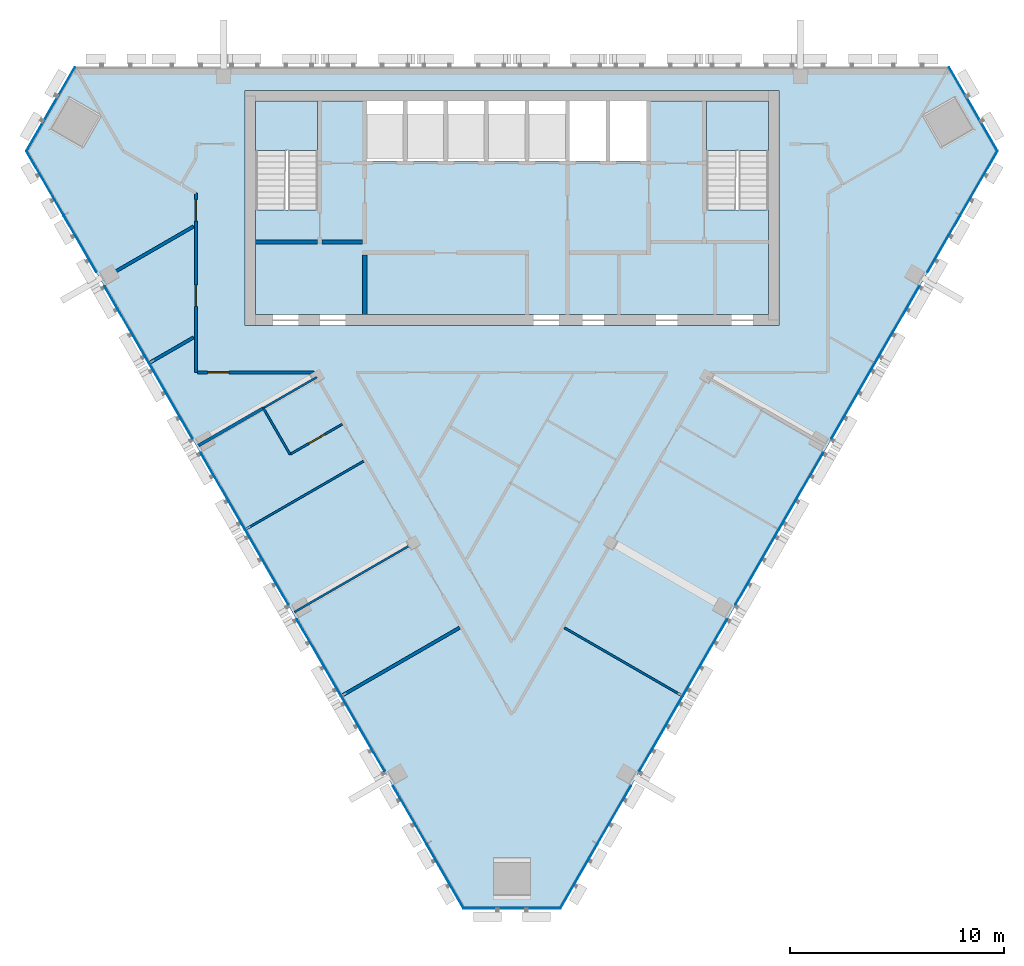
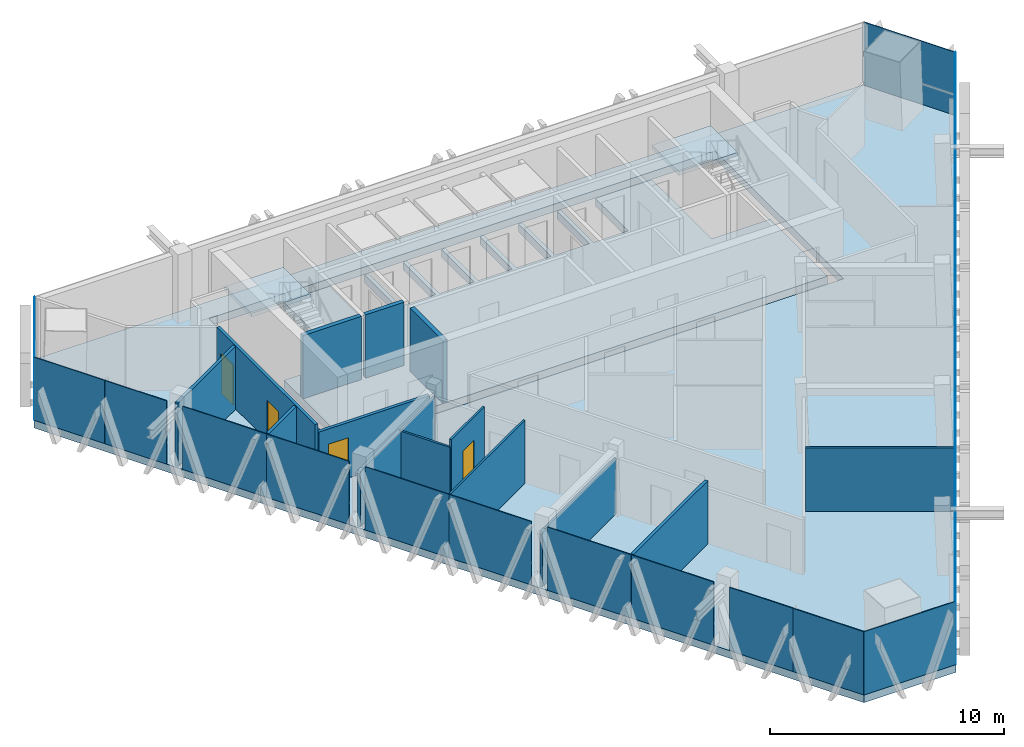
# One storey, part 7 of 12: 23 plates, 15 walls, 4 doors, 4 slabs, 4 openings, 7 elements without a shape of their own.
"""IFC4 building model written with IfcOpenShell, lengths in metres."""

from ifc_helpers import new_model, si_unit, direction, frame, frame_2d, origin, origin_2d, place, context, subcontext, project, spatial, polyline, rectangle, outline, extrude, material, layer, layer_set, type_object, element, fill, aggregate, save


model = new_model("IFC4")

# Units and contexts
model_context = context("Model", 3, precision=1e-05, world=origin(), true_north=direction((0.0, 1.0)))
body_context = subcontext(model_context, "Body", "Model", "MODEL_VIEW")
ifc_project = project(units=[si_unit("LENGTHUNIT", "METRE"), si_unit("AREAUNIT", "SQUARE_METRE"), si_unit("VOLUMEUNIT", "CUBIC_METRE"), si_unit("PLANEANGLEUNIT", "RADIAN"), si_unit("MASSUNIT", "GRAM", prefix="KILO")], contexts=[model_context])

# Site, building, storey
site_placement = place(None, origin())
site = spatial("IfcSite", under=ifc_project, at=site_placement, CompositionType="ELEMENT")
building_placement = place(site_placement, origin())
building = spatial("IfcBuilding", under=site, at=building_placement, Name="Altiplano Prism Tower", CompositionType="ELEMENT")
storey_placement = place(building_placement, frame((0.0, 0.0, 282.39990234375)))
storey = spatial("IfcBuildingStorey", under=building, at=storey_placement, Name="L73", CompositionType="ELEMENT", Elevation=282.39990234375)

# Curtain wall, plate
ifc_material_1 = material(Name="Aluminium and glass", Category="aluminium")
ifc_layer_1 = layer(ifc_material_1, 0.280029296875)
ifc_layer_set_1 = layer_set([ifc_layer_1], Name="Aluminium and glass")
curtain_wall_type = type_object("IfcCurtainWallType", Name="CW1 typical co-living unitised curtain wall", PredefinedType="NOTDEFINED", material=ifc_layer_set_1)
curtain_wall_1_placement = place(storey_placement, origin())
curtain_wall_1 = element("IfcCurtainWall", 1, at=curtain_wall_1_placement, inside=storey, type_object=curtain_wall_type, Name="CW1 curtain wall north-west chamfer L73", PredefinedType="NOTDEFINED")
ifc_material_2 = material(Name="Clear glass", Category="glass")
ifc_layer_2 = layer(ifc_material_2, 0.0400390625)
ifc_layer_set_2 = layer_set([ifc_layer_2], Name="Clear glass")
plate_type = type_object("IfcPlateType", Name="CW1 insulated glass unit 40", PredefinedType="CURTAIN_PANEL", material=ifc_layer_set_2)
plate_1_placement = place(storey_placement, frame((63.3984375, 103.0244140625, 0.0), z_axis=(0.0, 0.0, 1.0), x_axis=(-0.500000042927, -0.866025379001, 0.0)))
plate_1 = element("IfcPlate", 2, at=plate_1_placement, type_object=plate_type, Name="CW1 panel", PredefinedType="CURTAIN_PANEL", context=body_context, shape_type="SweptSolid", body=[
    extrude(rectangle(XDim=4.529296875, YDim=0.0400390625, at=origin_2d()), origin(), (0.0, 0.0, 1.0), 3.300048828125),
])
aggregate(curtain_wall_1, [plate_1])

# Curtain wall, plates
curtain_wall_2_placement = place(storey_placement, origin())
curtain_wall_2 = element("IfcCurtainWall", 3, at=curtain_wall_2_placement, inside=storey, type_object=curtain_wall_type, Name="CW1 curtain wall south-west face L73", PredefinedType="NOTDEFINED")
plate_2_placement = place(storey_placement, frame((63.13671875, 99.566650390625, 0.0), z_axis=(0.0, 0.0, 1.0), x_axis=(0.49999999273, -0.866025407982, 0.0)))
plate_2 = element("IfcPlate", 4, at=plate_2_placement, type_object=plate_type, Name="CW1 panel", PredefinedType="CURTAIN_PANEL", context=body_context, shape_type="SweptSolid", body=[
    extrude(rectangle(XDim=3.48193359375, YDim=0.0400390625, at=origin_2d()), origin(), (0.0, 0.0, 1.0), 3.300048828125),
])
plate_3_placement = place(storey_placement, frame((64.775146484375, 96.728759765625, 0.0), z_axis=(0.0, 0.0, 1.0), x_axis=(0.49999999273, -0.866025407982, 0.0)))
plate_3 = element("IfcPlate", 5, at=plate_3_placement, type_object=plate_type, Name="CW1 panel", PredefinedType="CURTAIN_PANEL", context=body_context, shape_type="SweptSolid", body=[
    extrude(rectangle(XDim=3.052001953125, YDim=0.0400390625, at=origin_2d()), origin(), (0.0, 0.0, 1.0), 3.300048828125),
])
plate_4_placement = place(storey_placement, frame((66.96826171875, 92.93017578125, 0.0), z_axis=(0.0, 0.0, 1.0), x_axis=(0.49999999273, -0.866025407982, 0.0)))
plate_4 = element("IfcPlate", 6, at=plate_4_placement, type_object=plate_type, Name="CW1 panel", PredefinedType="CURTAIN_PANEL", context=body_context, shape_type="SweptSolid", body=[
    extrude(rectangle(XDim=4.139404296875, YDim=0.0400390625, at=origin_2d()), origin(), (0.0, 0.0, 1.0), 3.300048828125),
])
plate_5_placement = place(storey_placement, frame((69.023193359375, 89.370849609375, 0.0), z_axis=(0.0, 0.0, 1.0), x_axis=(0.49999999273, -0.866025407982, 0.0)))
plate_5 = element("IfcPlate", 7, at=plate_5_placement, type_object=plate_type, Name="CW1 panel", PredefinedType="CURTAIN_PANEL", context=body_context, shape_type="SweptSolid", body=[
    extrude(rectangle(XDim=4.06005859375, YDim=0.0400390625, at=origin_2d()), origin(), (0.0, 0.0, 1.0), 3.300048828125),
])
plate_6_placement = place(storey_placement, frame((71.46826171875, 85.1357421875, 0.0), z_axis=(0.0, 0.0, 1.0), x_axis=(0.49999999273, -0.866025407982, 0.0)))
plate_6 = element("IfcPlate", 8, at=plate_6_placement, type_object=plate_type, Name="CW1 panel", PredefinedType="CURTAIN_PANEL", context=body_context, shape_type="SweptSolid", body=[
    extrude(rectangle(XDim=4.139404296875, YDim=0.0400390625, at=origin_2d()), origin(), (0.0, 0.0, 1.0), 3.300048828125),
])
plate_7_placement = place(storey_placement, frame((73.523193359375, 81.57666015625, 0.0), z_axis=(0.0, 0.0, 1.0), x_axis=(0.49999999273, -0.866025407982, 0.0)))
plate_7 = element("IfcPlate", 9, at=plate_7_placement, type_object=plate_type, Name="CW1 panel", PredefinedType="CURTAIN_PANEL", context=body_context, shape_type="SweptSolid", body=[
    extrude(rectangle(XDim=4.06005859375, YDim=0.0400390625, at=origin_2d()), origin(), (0.0, 0.0, 1.0), 3.300048828125),
])
plate_8_placement = place(storey_placement, frame((75.96826171875, 77.341552734375, 0.0), z_axis=(0.0, 0.0, 1.0), x_axis=(0.49999999273, -0.866025407982, 0.0)))
plate_8 = element("IfcPlate", 10, at=plate_8_placement, type_object=plate_type, Name="CW1 panel", PredefinedType="CURTAIN_PANEL", context=body_context, shape_type="SweptSolid", body=[
    extrude(rectangle(XDim=4.139404296875, YDim=0.0400390625, at=origin_2d()), origin(), (0.0, 0.0, 1.0), 3.300048828125),
])
plate_9_placement = place(storey_placement, frame((78.023193359375, 73.782470703125, 0.0), z_axis=(0.0, 0.0, 1.0), x_axis=(0.49999999273, -0.866025407982, 0.0)))
plate_9 = element("IfcPlate", 11, at=plate_9_placement, type_object=plate_type, Name="CW1 panel", PredefinedType="CURTAIN_PANEL", context=body_context, shape_type="SweptSolid", body=[
    extrude(rectangle(XDim=4.06005859375, YDim=0.0400390625, at=origin_2d()), origin(), (0.0, 0.0, 1.0), 3.300048828125),
])
plate_10_placement = place(storey_placement, frame((80.21630859375, 69.98388671875, 0.0), z_axis=(0.0, 0.0, 1.0), x_axis=(0.49999999273, -0.866025407982, 0.0)))
plate_10 = element("IfcPlate", 12, at=plate_10_placement, type_object=plate_type, Name="CW1 panel", PredefinedType="CURTAIN_PANEL", context=body_context, shape_type="SweptSolid", body=[
    extrude(rectangle(XDim=3.131591796875, YDim=0.0400390625, at=origin_2d()), origin(), (0.0, 0.0, 1.0), 3.300048828125),
])
plate_11_placement = place(storey_placement, frame((81.87451171875, 67.111572265625, 0.0), z_axis=(0.0, 0.0, 1.0), x_axis=(0.49999999273, -0.866025407982, 0.0)))
plate_11 = element("IfcPlate", 13, at=plate_11_placement, type_object=plate_type, Name="CW1 panel", PredefinedType="CURTAIN_PANEL", context=body_context, shape_type="SweptSolid", body=[
    extrude(rectangle(XDim=3.48193359375, YDim=0.0400390625, at=origin_2d()), origin(), (0.0, 0.0, 1.0), 3.300048828125),
])
aggregate(curtain_wall_2, [plate_2, plate_3, plate_4, plate_5, plate_6, plate_7, plate_8, plate_9, plate_10, plate_11])

# Curtain wall, plate
curtain_wall_3_placement = place(storey_placement, origin())
curtain_wall_3 = element("IfcCurtainWall", 14, at=curtain_wall_3_placement, inside=storey, type_object=curtain_wall_type, Name="CW1 curtain wall south chamfer L73", PredefinedType="NOTDEFINED")
plate_12_placement = place(storey_placement, frame((85.0, 65.609375, 0.0), z_axis=(0.0, 0.0, 1.0), x_axis=(1.0, 0.0, 0.0)))
plate_12 = element("IfcPlate", 15, at=plate_12_placement, type_object=plate_type, Name="CW1 panel", PredefinedType="CURTAIN_PANEL", context=body_context, shape_type="SweptSolid", body=[
    extrude(rectangle(XDim=4.529296875, YDim=0.0400390625, at=origin_2d()), origin(), (0.0, 0.0, 1.0), 3.300048828125),
])
aggregate(curtain_wall_3, [plate_12])

# Curtain wall, plates
curtain_wall_4_placement = place(storey_placement, origin())
curtain_wall_4 = element("IfcCurtainWall", 16, at=curtain_wall_4_placement, inside=storey, type_object=curtain_wall_type, Name="CW1 curtain wall south-east face L73", PredefinedType="NOTDEFINED")
plate_13_placement = place(storey_placement, frame((88.12548828125, 67.111572265625, 0.0), z_axis=(0.0, 0.0, 1.0), x_axis=(0.49999999273, 0.866025407982, 0.0)))
plate_13 = element("IfcPlate", 17, at=plate_13_placement, type_object=plate_type, Name="CW1 panel", PredefinedType="CURTAIN_PANEL", context=body_context, shape_type="SweptSolid", body=[
    extrude(rectangle(XDim=3.48193359375, YDim=0.0400390625, at=origin_2d()), origin(), (0.0, 0.0, 1.0), 3.300048828125),
])
plate_14_placement = place(storey_placement, frame((89.78369140625, 69.98388671875, 0.0), z_axis=(0.0, 0.0, 1.0), x_axis=(0.49999999273, 0.866025407982, 0.0)))
plate_14 = element("IfcPlate", 18, at=plate_14_placement, type_object=plate_type, Name="CW1 panel", PredefinedType="CURTAIN_PANEL", context=body_context, shape_type="SweptSolid", body=[
    extrude(rectangle(XDim=3.131591796875, YDim=0.0400390625, at=origin_2d()), origin(), (0.0, 0.0, 1.0), 3.300048828125),
])
plate_15_placement = place(storey_placement, frame((91.976806640625, 73.782470703125, 0.0), z_axis=(0.0, 0.0, 1.0), x_axis=(0.49999999273, 0.866025407982, 0.0)))
plate_15 = element("IfcPlate", 19, at=plate_15_placement, type_object=plate_type, Name="CW1 panel", PredefinedType="CURTAIN_PANEL", context=body_context, shape_type="SweptSolid", body=[
    extrude(rectangle(XDim=4.06005859375, YDim=0.0400390625, at=origin_2d()), origin(), (0.0, 0.0, 1.0), 3.300048828125),
])
plate_16_placement = place(storey_placement, frame((94.03173828125, 77.341552734375, 0.0), z_axis=(0.0, 0.0, 1.0), x_axis=(0.49999999273, 0.866025407982, 0.0)))
plate_16 = element("IfcPlate", 20, at=plate_16_placement, type_object=plate_type, Name="CW1 panel", PredefinedType="CURTAIN_PANEL", context=body_context, shape_type="SweptSolid", body=[
    extrude(rectangle(XDim=4.139404296875, YDim=0.0400390625, at=origin_2d()), origin(), (0.0, 0.0, 1.0), 3.300048828125),
])
plate_17_placement = place(storey_placement, frame((96.476806640625, 81.57666015625, 0.0), z_axis=(0.0, 0.0, 1.0), x_axis=(0.49999999273, 0.866025407982, 0.0)))
plate_17 = element("IfcPlate", 21, at=plate_17_placement, type_object=plate_type, Name="CW1 panel", PredefinedType="CURTAIN_PANEL", context=body_context, shape_type="SweptSolid", body=[
    extrude(rectangle(XDim=4.06005859375, YDim=0.0400390625, at=origin_2d()), origin(), (0.0, 0.0, 1.0), 3.300048828125),
])
plate_18_placement = place(storey_placement, frame((98.53173828125, 85.1357421875, 0.0), z_axis=(0.0, 0.0, 1.0), x_axis=(0.49999999273, 0.866025407982, 0.0)))
plate_18 = element("IfcPlate", 22, at=plate_18_placement, type_object=plate_type, Name="CW1 panel", PredefinedType="CURTAIN_PANEL", context=body_context, shape_type="SweptSolid", body=[
    extrude(rectangle(XDim=4.139404296875, YDim=0.0400390625, at=origin_2d()), origin(), (0.0, 0.0, 1.0), 3.300048828125),
])
plate_19_placement = place(storey_placement, frame((100.976806640625, 89.370849609375, 0.0), z_axis=(0.0, 0.0, 1.0), x_axis=(0.49999999273, 0.866025407982, 0.0)))
plate_19 = element("IfcPlate", 23, at=plate_19_placement, type_object=plate_type, Name="CW1 panel", PredefinedType="CURTAIN_PANEL", context=body_context, shape_type="SweptSolid", body=[
    extrude(rectangle(XDim=4.06005859375, YDim=0.0400390625, at=origin_2d()), origin(), (0.0, 0.0, 1.0), 3.300048828125),
])
plate_20_placement = place(storey_placement, frame((103.03173828125, 92.93017578125, 0.0), z_axis=(0.0, 0.0, 1.0), x_axis=(0.49999999273, 0.866025407982, 0.0)))
plate_20 = element("IfcPlate", 24, at=plate_20_placement, type_object=plate_type, Name="CW1 panel", PredefinedType="CURTAIN_PANEL", context=body_context, shape_type="SweptSolid", body=[
    extrude(rectangle(XDim=4.139404296875, YDim=0.0400390625, at=origin_2d()), origin(), (0.0, 0.0, 1.0), 3.300048828125),
])
plate_21_placement = place(storey_placement, frame((105.224853515625, 96.728759765625, 0.0), z_axis=(0.0, 0.0, 1.0), x_axis=(0.49999999273, 0.866025407982, 0.0)))
plate_21 = element("IfcPlate", 25, at=plate_21_placement, type_object=plate_type, Name="CW1 panel", PredefinedType="CURTAIN_PANEL", context=body_context, shape_type="SweptSolid", body=[
    extrude(rectangle(XDim=3.052001953125, YDim=0.0400390625, at=origin_2d()), origin(), (0.0, 0.0, 1.0), 3.300048828125),
])
plate_22_placement = place(storey_placement, frame((106.86328125, 99.566650390625, 0.0), z_axis=(0.0, 0.0, 1.0), x_axis=(0.49999999273, 0.866025407982, 0.0)))
plate_22 = element("IfcPlate", 26, at=plate_22_placement, type_object=plate_type, Name="CW1 panel", PredefinedType="CURTAIN_PANEL", context=body_context, shape_type="SweptSolid", body=[
    extrude(rectangle(XDim=3.48193359375, YDim=0.0400390625, at=origin_2d()), origin(), (0.0, 0.0, 1.0), 3.300048828125),
])
aggregate(curtain_wall_4, [plate_13, plate_14, plate_15, plate_16, plate_17, plate_18, plate_19, plate_20, plate_21, plate_22])

# Curtain wall, plate
curtain_wall_5_placement = place(storey_placement, origin())
curtain_wall_5 = element("IfcCurtainWall", 27, at=curtain_wall_5_placement, inside=storey, type_object=curtain_wall_type, Name="CW1 curtain wall north-east chamfer L73", PredefinedType="NOTDEFINED")
plate_23_placement = place(storey_placement, frame((106.6015625, 103.0244140625, 0.0), z_axis=(0.0, 0.0, 1.0), x_axis=(-0.500000042927, 0.866025379001, 0.0)))
plate_23 = element("IfcPlate", 28, at=plate_23_placement, type_object=plate_type, Name="CW1 panel", PredefinedType="CURTAIN_PANEL", context=body_context, shape_type="SweptSolid", body=[
    extrude(rectangle(XDim=4.529296875, YDim=0.0400390625, at=origin_2d()), origin(), (0.0, 0.0, 1.0), 3.300048828125),
])
aggregate(curtain_wall_5, [plate_23])

# Slabs
ifc_material_3 = material(Name="Concrete C40/50", Category="concrete")
ifc_layer_3 = layer(ifc_material_3, 0.39990234375)
ifc_layer_set_3 = layer_set([ifc_layer_3], Name="Concrete C40/50")
slab_type_1 = type_object("IfcSlabType", Name="Core floor slab 400", PredefinedType="FLOOR", material=ifc_layer_set_3)
slab_1_placement = place(storey_placement, frame((0.0, 0.0, -0.39990234375)))
element("IfcSlab", 29, at=slab_1_placement, inside=storey, type_object=slab_type_1, Name="Core floor slab L73", PredefinedType="FLOOR", context=body_context, shape_type="SweptSolid", body=[
    extrude(outline(polyline([(97.0, 98.31005859375), (94.10009765625, 98.31005859375), (94.10009765625, 103.39990234375), (91.300048828125, 103.39990234375), (91.300048828125, 100.60009765625), (89.60009765625, 100.60009765625), (89.60009765625, 103.39990234375), (89.39990234375, 103.39990234375), (89.39990234375, 100.60009765625), (87.699951171875, 100.60009765625), (87.699951171875, 103.39990234375), (87.5, 103.39990234375), (87.5, 100.60009765625), (85.800048828125, 100.60009765625), (85.800048828125, 103.39990234375), (85.60009765625, 103.39990234375), (85.60009765625, 100.60009765625), (83.89990234375, 100.60009765625), (83.89990234375, 103.39990234375), (83.699951171875, 103.39990234375), (83.699951171875, 100.60009765625), (82.0, 100.60009765625), (82.0, 103.39990234375), (81.800048828125, 103.39990234375), (81.800048828125, 100.60009765625), (80.10009765625, 100.60009765625), (80.10009765625, 103.39990234375), (79.89990234375, 103.39990234375), (79.89990234375, 100.60009765625), (78.199951171875, 100.60009765625), (78.199951171875, 103.39990234375), (75.89990234375, 103.39990234375), (75.89990234375, 98.31005859375), (73.0, 98.31005859375), (73.0, 93.39990234375), (97.0, 93.39990234375), (97.0, 98.31005859375)])), origin(), (0.0, 0.0, 1.0), 0.39990234375),
])
ifc_layer_4 = layer(ifc_material_3, 0.39990234375)
ifc_layer_set_4 = layer_set([ifc_layer_4], Name="Concrete C40/50")
slab_type_2 = type_object("IfcSlabType", Name="Post-tensioned flat slab 400", PredefinedType="FLOOR", material=ifc_layer_set_4)
slab_2_placement = place(storey_placement, frame((0.0, 0.0, -0.39990234375)))
element("IfcSlab", 30, at=slab_2_placement, inside=storey, type_object=slab_type_2, Name="Floor slab L73", PredefinedType="FLOOR", context=body_context, shape_type="SweptSolid", body=[
    extrude(outline(polyline([(107.753662109375, 101.06884765625), (87.269775390625, 65.58935546875), (82.730224609375, 65.58935546875), (62.246337890625, 101.06884765625), (64.515869140625, 105.0), (105.484130859375, 105.0), (107.753662109375, 101.06884765625)]), holes=[polyline([(97.5, 92.89990234375), (97.5, 103.89990234375), (72.5, 103.89990234375), (72.5, 92.89990234375), (97.5, 92.89990234375)])]), origin(), (0.0, 0.0, 1.0), 0.39990234375),
])

# Stair, slab
stair_type = type_object("IfcStairType", Name="Exit stair 1400", PredefinedType="HALF_TURN_STAIR", material=ifc_material_3)
stair_1_placement = place(storey_placement, origin())
stair_1 = element("IfcStair", 31, at=stair_1_placement, inside=storey, type_object=stair_type, Name="L73 Exit Stair 1", PredefinedType="HALF_TURN_STAIR")
ifc_layer_5 = layer(ifc_material_3, 0.199951171875)
ifc_layer_set_5 = layer_set([ifc_layer_5], Name="Concrete C40/50")
slab_type_3 = type_object("IfcSlabType", Name="Stair landing 200", PredefinedType="LANDING", material=ifc_layer_set_5)
slab_3_placement = place(storey_placement, frame((0.0, 0.0, 1.60009765625)))
slab_3 = element("IfcSlab", 32, at=slab_3_placement, type_object=slab_type_3, Name="ST1 landing 1", PredefinedType="LANDING", context=body_context, shape_type="SweptSolid", body=[
    extrude(outline(polyline([(75.89990234375, 101.096923828125), (75.89990234375, 103.39990234375), (73.0, 103.39990234375), (73.0, 101.096923828125), (75.89990234375, 101.096923828125)])), origin(), (0.0, 0.0, 1.0), 0.199951171875),
])
aggregate(stair_1, [slab_3])

stair_2_placement = place(storey_placement, origin())
stair_2 = element("IfcStair", 33, at=stair_2_placement, inside=storey, type_object=stair_type, Name="L73 Exit Stair 2", PredefinedType="HALF_TURN_STAIR")
slab_4_placement = place(storey_placement, frame((0.0, 0.0, 1.60009765625)))
slab_4 = element("IfcSlab", 34, at=slab_4_placement, type_object=slab_type_3, Name="ST2 landing 1", PredefinedType="LANDING", context=body_context, shape_type="SweptSolid", body=[
    extrude(outline(polyline([(97.0, 101.096923828125), (97.0, 103.39990234375), (94.10009765625, 103.39990234375), (94.10009765625, 101.096923828125), (97.0, 101.096923828125)])), origin(), (0.0, 0.0, 1.0), 0.199951171875),
])
aggregate(stair_2, [slab_4])

# Wall, opening, door
ifc_material_4 = material(Name="Plasterboard on steel stud", Category="steel")
ifc_layer_6 = layer(ifc_material_4, 0.10009765625)
ifc_layer_set_6 = layer_set([ifc_layer_6], Name="Plasterboard on steel stud")
wall_type_1 = type_object("IfcWallType", Name="Partition 100 unit", PredefinedType="PARTITIONING", material=ifc_layer_set_6)
wall_1_placement = place(storey_placement, frame((77.052490234375, 88.273681640625, 0.0), z_axis=(0.0, 0.0, 1.0), x_axis=(-0.866011447264, -0.500024172624, 0.0)))
wall_1 = element("IfcWall", 35, at=wall_1_placement, inside=storey, type_object=wall_type_1, Name="Partition P02 L73 029", PredefinedType="PARTITIONING", context=body_context, shape_type="SweptSolid", body=[
    extrude(rectangle(XDim=2.824951171875, YDim=0.10009765625, at=frame_2d((1.41259765625, 0.0))), origin(), (0.0, 0.0, 1.0), 3.300048828125),
])
opening_1_placement = place(wall_1_placement, frame((0.925048828125, 0.0, 0.0)))
opening_1 = element("IfcOpeningElement", 36, at=opening_1_placement, cuts=wall_1, Name="Opening D2278", PredefinedType="OPENING", context=body_context, shape_type="SweptSolid", body=[
    extrude(rectangle(XDim=0.89990234375, YDim=2.10009765625, at=frame_2d((0.449951171875, 1.050048828125))), frame((0.0, 0.060546875, 0.0), z_axis=(0.0, -1.0, 0.0), x_axis=(1.0, 0.0, 0.0)), (0.0, 0.0, 1.0), 0.12109375),
])
ifc_material_5 = material(Name="Timber", Category="wood")
door_type_1 = type_object("IfcDoorType", Name="Ensuite door 900 x 2100", OperationType="NOTDEFINED", PredefinedType="NOTDEFINED", material=ifc_material_5)
door_1_placement = place(opening_1_placement, origin())
door_1 = element("IfcDoor", 37, at=door_1_placement, inside=storey, type_object=door_type_1, Name="Door D2278", OperationType="SINGLE_SWING_RIGHT", OverallHeight=2.10009765625, OverallWidth=0.89990234375, PredefinedType="NOTDEFINED", context=body_context, shape_type="SweptSolid", body=[
    extrude(rectangle(XDim=0.89990234375, YDim=2.10009765625, at=frame_2d((0.449951171875, 1.050048828125))), frame((0.0, 0.02490234375, 0.0), z_axis=(0.0, -1.0, 0.0), x_axis=(1.0, 0.0, 0.0)), (0.0, 0.0, 1.0), 0.050048828125),
])
fill(opening_1, door_1)

# Walls
wall_2_placement = place(storey_placement, frame((74.60595703125, 86.861083984375, 0.0), z_axis=(0.0, 0.0, 1.0), x_axis=(-0.500004234368, 0.866022959057, 0.0)))
element("IfcWall", 38, at=wall_2_placement, inside=storey, type_object=wall_type_1, Name="Partition P02 L73 030", PredefinedType="PARTITIONING", context=body_context, shape_type="SweptSolid", body=[
    extrude(rectangle(XDim=2.5, YDim=0.10009765625, at=frame_2d((1.25, 0.0))), origin(), (0.0, 0.0, 1.0), 2.900146484375),
])
ifc_layer_7 = layer(ifc_material_4, 0.10009765625)
ifc_layer_set_7 = layer_set([ifc_layer_7], Name="Plasterboard on steel stud")
wall_type_2 = type_object("IfcWallType", Name="Partition 100 wet", PredefinedType="PARTITIONING", material=ifc_layer_set_7)
wall_3_placement = place(storey_placement, frame((73.35595703125, 89.026123046875, 0.0), z_axis=(0.0, 0.0, 1.0), x_axis=(0.866032775405, 0.499987231761, 0.0)))
element("IfcWall", 39, at=wall_3_placement, inside=storey, type_object=wall_type_2, Name="Partition P03 L73 028", PredefinedType="PARTITIONING", context=body_context, shape_type="SweptSolid", body=[
    extrude(rectangle(XDim=2.89990234375, YDim=0.10009765625, at=frame_2d((1.449951171875, 0.0))), origin(), (0.0, 0.0, 1.0), 2.900146484375),
])
wall_4_placement = place(storey_placement, frame((72.557373046875, 83.368896484375, 0.0), z_axis=(0.0, 0.0, 1.0), x_axis=(0.866025401434, 0.500000004071, 0.0)))
element("IfcWall", 40, at=wall_4_placement, inside=storey, type_object=wall_type_2, Name="Partition P03 L73 031", PredefinedType="PARTITIONING", context=body_context, shape_type="SweptSolid", body=[
    extrude(rectangle(XDim=6.34521484375, YDim=0.10009765625, at=frame_2d((3.172607421875, 0.0))), origin(), (0.0, 0.0, 1.0), 3.300048828125),
])
wall_5_placement = place(storey_placement, frame((74.824951171875, 79.48193359375, 0.0), z_axis=(0.0, 0.0, 1.0), x_axis=(0.866015887322, 0.500016482634, 0.0)))
element("IfcWall", 41, at=wall_5_placement, inside=storey, type_object=wall_type_2, Name="Partition P03 L73 032", PredefinedType="PARTITIONING", context=body_context, shape_type="SweptSolid", body=[
    extrude(rectangle(XDim=6.324951171875, YDim=0.10009765625, at=frame_2d((3.16259765625, 0.0))), origin(), (0.0, 0.0, 1.0), 2.900146484375),
])
wall_6_placement = place(storey_placement, frame((92.93994140625, 75.570556640625, 0.0), z_axis=(0.0, 0.0, 1.0), x_axis=(-0.866015781869, 0.500016665277, 0.0)))
element("IfcWall", 42, at=wall_6_placement, inside=storey, type_object=wall_type_2, Name="Partition P03 L73 034", PredefinedType="PARTITIONING", context=body_context, shape_type="SweptSolid", body=[
    extrude(rectangle(XDim=6.344970703125, YDim=0.10009765625, at=frame_2d((3.17236328125, 0.0))), origin(), (0.0, 0.0, 1.0), 3.300048828125),
])

# Wall, openings, doors
ifc_layer_8 = layer(ifc_material_4, 0.14990234375)
ifc_layer_set_8 = layer_set([ifc_layer_8], Name="Plasterboard on steel stud")
wall_type_3 = type_object("IfcWallType", Name="Partition 150 corridor", PredefinedType="PARTITIONING", material=ifc_layer_set_8)
wall_7_placement = place(storey_placement, frame((70.199951171875, 99.097412109375, 0.0), z_axis=(0.0, 0.0, 1.0), x_axis=(0.0, -1.0, 0.0)))
wall_7 = element("IfcWall", 43, at=wall_7_placement, inside=storey, type_object=wall_type_3, Name="Partition P06 L73 003", PredefinedType="PARTITIONING", context=body_context, shape_type="SweptSolid", body=[
    extrude(rectangle(XDim=8.3974609375, YDim=0.14990234375, at=frame_2d((4.19873046875, 0.0))), origin(), (0.0, 0.0, 1.0), 3.300048828125),
])
opening_2_placement = place(wall_7_placement, frame((0.31298828125, 0.0, 0.0)))
opening_2 = element("IfcOpeningElement", 44, at=opening_2_placement, cuts=wall_7, Name="Opening D2274", PredefinedType="OPENING", context=body_context, shape_type="SweptSolid", body=[
    extrude(rectangle(XDim=1.0, YDim=2.10009765625, at=frame_2d((0.5, 1.050048828125))), frame((0.0, 0.08544921875, 0.0), z_axis=(0.0, -1.0, 0.0), x_axis=(1.0, 0.0, 0.0)), (0.0, 0.0, 1.0), 0.1708984375),
])
opening_3_placement = place(wall_7_placement, frame((4.306884765625, 0.0, 0.0)))
opening_3 = element("IfcOpeningElement", 45, at=opening_3_placement, cuts=wall_7, Name="Opening D2275", PredefinedType="OPENING", context=body_context, shape_type="SweptSolid", body=[
    extrude(rectangle(XDim=1.0, YDim=2.10009765625, at=frame_2d((0.5, 1.050048828125))), frame((0.0, 0.08544921875, 0.0), z_axis=(0.0, -1.0, 0.0), x_axis=(1.0, 0.0, 0.0)), (0.0, 0.0, 1.0), 0.1708984375),
])
door_type_2 = type_object("IfcDoorType", Name="Room door 1000 x 2100", OperationType="NOTDEFINED", PredefinedType="NOTDEFINED", material=ifc_material_5)
door_2_placement = place(opening_2_placement, origin())
door_2 = element("IfcDoor", 46, at=door_2_placement, inside=storey, type_object=door_type_2, Name="Door D2274", OperationType="SINGLE_SWING_LEFT", OverallHeight=2.10009765625, OverallWidth=1.0, PredefinedType="NOTDEFINED", context=body_context, shape_type="SweptSolid", body=[
    extrude(rectangle(XDim=1.0, YDim=2.10009765625, at=frame_2d((0.5, 1.050048828125))), frame((0.0, 0.02490234375, 0.0), z_axis=(0.0, -1.0, 0.0), x_axis=(1.0, 0.0, 0.0)), (0.0, 0.0, 1.0), 0.050048828125),
])
fill(opening_2, door_2)
door_3_placement = place(opening_3_placement, origin())
door_3 = element("IfcDoor", 47, at=door_3_placement, inside=storey, type_object=door_type_2, Name="Door D2275", OperationType="SINGLE_SWING_LEFT", OverallHeight=2.10009765625, OverallWidth=1.0, PredefinedType="NOTDEFINED", context=body_context, shape_type="SweptSolid", body=[
    extrude(rectangle(XDim=1.0, YDim=2.10009765625, at=frame_2d((0.5, 1.050048828125))), frame((0.0, 0.02490234375, 0.0), z_axis=(0.0, -1.0, 0.0), x_axis=(1.0, 0.0, 0.0)), (0.0, 0.0, 1.0), 0.050048828125),
])
fill(opening_3, door_3)

# Wall, opening, door
wall_8_placement = place(storey_placement, frame((70.27490234375, 90.699951171875, 0.0), z_axis=(0.0, 0.0, 1.0), x_axis=(1.0, 0.0, 0.0)))
wall_8 = element("IfcWall", 48, at=wall_8_placement, inside=storey, type_object=wall_type_3, Name="Partition P06 L73 004", PredefinedType="PARTITIONING", context=body_context, shape_type="SweptSolid", body=[
    extrude(rectangle(XDim=5.46337890625, YDim=0.14990234375, at=frame_2d((2.731689453125, 0.0))), origin(), (0.0, 0.0, 1.0), 2.900146484375),
])
opening_4_placement = place(wall_8_placement, frame((0.468017578125, 0.0, 0.0)))
opening_4 = element("IfcOpeningElement", 49, at=opening_4_placement, cuts=wall_8, Name="Opening D2276", PredefinedType="OPENING", context=body_context, shape_type="SweptSolid", body=[
    extrude(rectangle(XDim=1.0, YDim=2.10009765625, at=frame_2d((0.5, 1.050048828125))), frame((0.0, 0.08544921875, 0.0), z_axis=(0.0, -1.0, 0.0), x_axis=(1.0, 0.0, 0.0)), (0.0, 0.0, 1.0), 0.1708984375),
])
door_4_placement = place(opening_4_placement, origin())
door_4 = element("IfcDoor", 50, at=door_4_placement, inside=storey, type_object=door_type_2, Name="Door D2276", OperationType="SINGLE_SWING_RIGHT", OverallHeight=2.10009765625, OverallWidth=1.0, PredefinedType="NOTDEFINED", context=body_context, shape_type="SweptSolid", body=[
    extrude(rectangle(XDim=1.0, YDim=2.10009765625, at=frame_2d((0.5, 1.050048828125))), frame((0.0, 0.02490234375, 0.0), z_axis=(0.0, -1.0, 0.0), x_axis=(1.0, 0.0, 0.0)), (0.0, 0.0, 1.0), 0.050048828125),
])
fill(opening_4, door_4)

# Walls
ifc_layer_9 = layer(ifc_material_4, 0.14990234375)
ifc_layer_set_9 = layer_set([ifc_layer_9], Name="Plasterboard on steel stud")
wall_type_4 = type_object("IfcWallType", Name="Partition 150 party", PredefinedType="PARTITIONING", material=ifc_layer_set_9)
wall_9_placement = place(storey_placement, frame((65.824951171875, 95.0703125, 0.0), z_axis=(0.0, 0.0, 1.0), x_axis=(0.866003030001, 0.500038750527, 0.0)))
element("IfcWall", 51, at=wall_9_placement, inside=storey, type_object=wall_type_4, Name="Partition P01 L73 023", PredefinedType="PARTITIONING", context=body_context, shape_type="SweptSolid", body=[
    extrude(rectangle(XDim=4.921875, YDim=0.14990234375, at=frame_2d((2.4609375, 0.0))), origin(), (0.0, 0.0, 1.0), 3.300048828125),
])
wall_10_placement = place(storey_placement, frame((68.057373046875, 91.1630859375, 0.0), z_axis=(0.0, 0.0, 1.0), x_axis=(0.866010407637, 0.500025973189, 0.0)))
element("IfcWall", 52, at=wall_10_placement, inside=storey, type_object=wall_type_4, Name="Partition P01 L73 026", PredefinedType="PARTITIONING", context=body_context, shape_type="SweptSolid", body=[
    extrude(rectangle(XDim=2.34423828125, YDim=0.14990234375, at=frame_2d((1.172119140625, 0.0))), origin(), (0.0, 0.0, 1.0), 3.300048828125),
])
wall_11_placement = place(storey_placement, frame((70.324951171875, 87.276123046875, 0.0), z_axis=(0.0, 0.0, 1.0), x_axis=(0.866019471182, 0.500010275428, 0.0)))
element("IfcWall", 53, at=wall_11_placement, inside=storey, type_object=wall_type_4, Name="Partition P01 L73 027", PredefinedType="PARTITIONING", context=body_context, shape_type="SweptSolid", body=[
    extrude(rectangle(XDim=3.5, YDim=0.14990234375, at=frame_2d((1.75, 0.0))), origin(), (0.0, 0.0, 1.0), 2.900146484375),
])
wall_12_placement = place(storey_placement, frame((77.057373046875, 75.57470703125, 0.0), z_axis=(0.0, 0.0, 1.0), x_axis=(0.866025401434, 0.500000004071, 0.0)))
element("IfcWall", 54, at=wall_12_placement, inside=storey, type_object=wall_type_4, Name="Partition P01 L73 033", PredefinedType="PARTITIONING", context=body_context, shape_type="SweptSolid", body=[
    extrude(rectangle(XDim=6.34521484375, YDim=0.14990234375, at=frame_2d((3.172607421875, 0.0))), origin(), (0.0, 0.0, 1.0), 3.300048828125),
])
ifc_material_6 = material(Name="Concrete C60/75", Category="concrete")
ifc_layer_10 = layer(ifc_material_6, 0.199951171875)
ifc_layer_set_10 = layer_set([ifc_layer_10], Name="Concrete C60/75")
wall_type_5 = type_object("IfcWallType", Name="Stair wall 200", PredefinedType="SOLIDWALL", material=ifc_layer_set_10)
wall_13_placement = place(storey_placement, frame((73.0, 96.800048828125, 0.0), z_axis=(0.0, 0.0, 1.0), x_axis=(1.0, 0.0, 0.0)))
element("IfcWall", 55, at=wall_13_placement, inside=storey, type_object=wall_type_5, Name="Stair wall L73", PredefinedType="SOLIDWALL", context=body_context, shape_type="SweptSolid", body=[
    extrude(rectangle(XDim=2.89990234375, YDim=0.199951171875, at=frame_2d((1.449951171875, 0.0))), origin(), (0.0, 0.0, 1.0), 3.300048828125),
])
ifc_layer_11 = layer(ifc_material_6, 0.199951171875)
ifc_layer_set_11 = layer_set([ifc_layer_11], Name="Concrete C60/75")
wall_type_6 = type_object("IfcWallType", Name="Vestibule wall 200", PredefinedType="PARTITIONING", material=ifc_layer_set_11)
wall_14_placement = place(storey_placement, frame((78.10009765625, 93.39990234375, 0.0), z_axis=(0.0, 0.0, 1.0), x_axis=(0.0, 1.0, 0.0)))
element("IfcWall", 56, at=wall_14_placement, inside=storey, type_object=wall_type_6, Name="Vestibule wall L73", PredefinedType="PARTITIONING", context=body_context, shape_type="SweptSolid", body=[
    extrude(rectangle(XDim=2.800048828125, YDim=0.199951171875, at=frame_2d((1.39990234375, 0.0))), origin(), (0.0, 0.0, 1.0), 3.300048828125),
])
wall_15_placement = place(storey_placement, frame((76.10009765625, 96.800048828125, 0.0), z_axis=(0.0, 0.0, 1.0), x_axis=(1.0, 0.0, 0.0)))
element("IfcWall", 57, at=wall_15_placement, inside=storey, type_object=wall_type_6, Name="Vestibule wall L73", PredefinedType="PARTITIONING", context=body_context, shape_type="SweptSolid", body=[
    extrude(rectangle(XDim=1.89990234375, YDim=0.199951171875, at=frame_2d((0.949951171875, 0.0))), origin(), (0.0, 0.0, 1.0), 3.300048828125),
])

save(model, "model.ifc")
